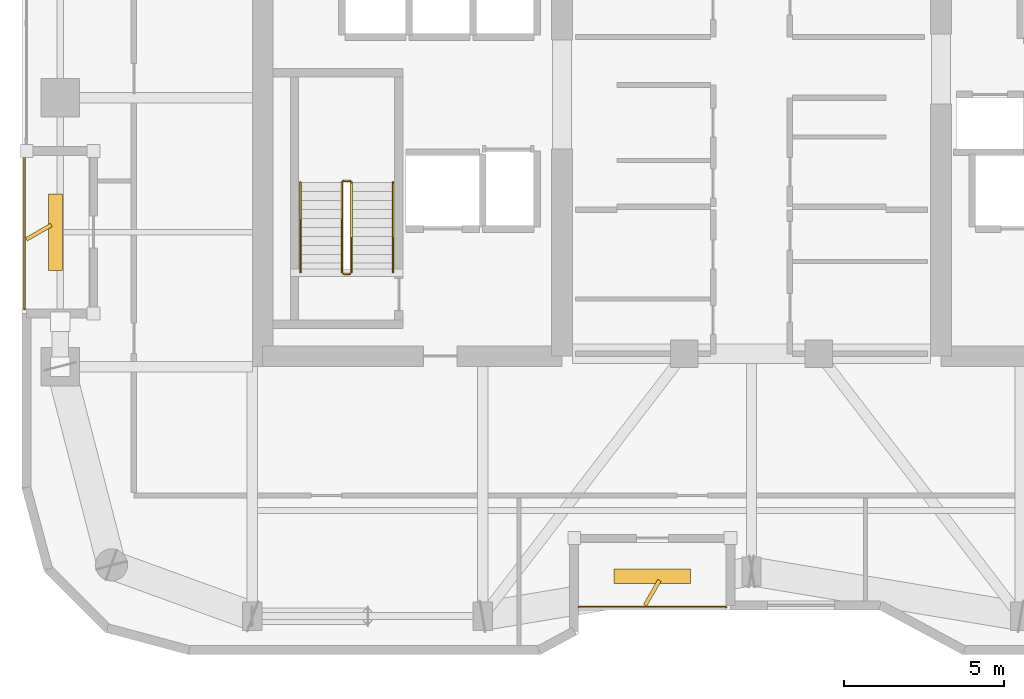
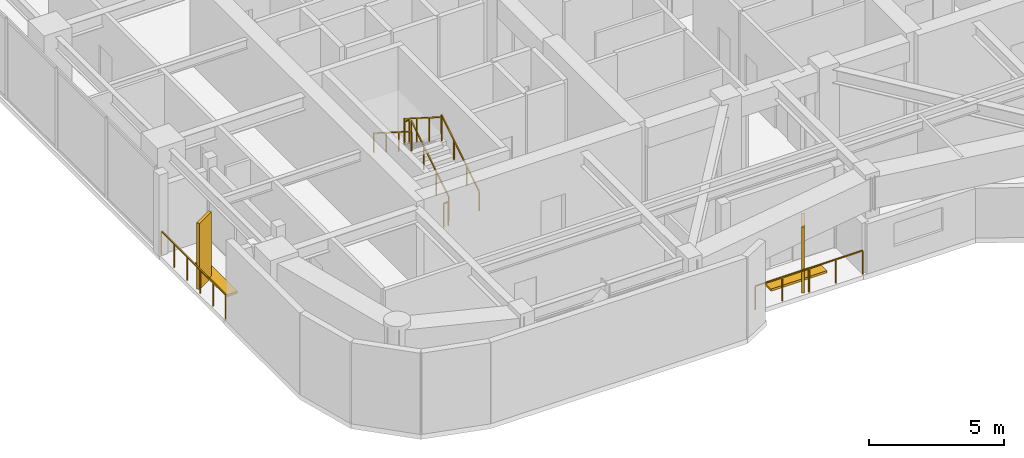
# One storey, part 19 of 21: 8 railings, 4 shading devices.
"""IFC4 building model written with IfcOpenShell, lengths in metres."""

from ifc_helpers import new_model, si_unit, direction, frame, origin, origin_2d, place, context, subcontext, project, spatial, rectangle, extrude, material, type_object, element, save


model = new_model("IFC4")

# Units and contexts
model_context = context("Model", 3, precision=1e-05, world=origin(), true_north=direction((0.0, 1.0)))
body_context = subcontext(model_context, "Body", "Model", "MODEL_VIEW")
ifc_project = project(units=[si_unit("LENGTHUNIT", "METRE"), si_unit("AREAUNIT", "SQUARE_METRE"), si_unit("VOLUMEUNIT", "CUBIC_METRE"), si_unit("PLANEANGLEUNIT", "RADIAN"), si_unit("MASSUNIT", "GRAM", prefix="KILO")], contexts=[model_context])

# Site, building, storey
site_placement = place(None, origin())
site = spatial("IfcSite", under=ifc_project, at=site_placement, CompositionType="ELEMENT")
building_placement = place(site_placement, origin())
building = spatial("IfcBuilding", under=site, at=building_placement, Name="Kiyonajd Concourse Tower", CompositionType="ELEMENT")
storey_placement = place(building_placement, frame((0.0, 0.0, 219.300048828125)))
storey = spatial("IfcBuildingStorey", under=building, at=storey_placement, Name="L55", CompositionType="ELEMENT", Elevation=219.300048828125)

# Railings
ifc_material_1 = material(Name="Thermally Broken Anodised Aluminium", Category="aluminium")
railing_type_1 = type_object("IfcRailingType", Name="RL-GRD-LOG", PredefinedType="GUARDRAIL", material=ifc_material_1)
railing_1_placement = place(storey_placement, frame((42.60009765625, 20.080078125, 0.0)))
element("IfcRailing", 1, at=railing_1_placement, inside=storey, type_object=railing_type_1, Name="L55 Engawa Loggia Perimeter Guard LOG-S", PredefinedType="GUARDRAIL", context=body_context, shape_type="SweptSolid", body=[
    extrude(rectangle(XDim=0.048095703125, YDim=0.048095703125, at=origin_2d()), frame((0.0, 0.0, 1.076171875), z_axis=(1.0, 0.0, 0.0), x_axis=(0.0, 1.0, 0.0)), (0.0, 0.0, 1.0), 4.599853515625),
    extrude(rectangle(XDim=0.0419921875, YDim=0.0419921875, at=origin_2d()), origin(), (0.0, 0.0, 1.0), 1.052001953125),
    extrude(rectangle(XDim=0.0419921875, YDim=0.0419921875, at=origin_2d()), frame((1.14990234375, 0.0, 0.0)), (0.0, 0.0, 1.0), 1.052001953125),
    extrude(rectangle(XDim=0.0419921875, YDim=0.0419921875, at=origin_2d()), frame((2.2998046875, 0.0, 0.0)), (0.0, 0.0, 1.0), 1.052001953125),
    extrude(rectangle(XDim=0.0419921875, YDim=0.0419921875, at=origin_2d()), frame((3.449951171875, 0.0, 0.0)), (0.0, 0.0, 1.0), 1.052001953125),
    extrude(rectangle(XDim=0.0419921875, YDim=0.0419921875, at=origin_2d()), frame((4.599853515625, 0.0, 0.0)), (0.0, 0.0, 1.0), 1.052001953125),
])
railing_2_placement = place(storey_placement, frame((25.280029296875, 34.199951171875, 0.0)))
element("IfcRailing", 2, at=railing_2_placement, inside=storey, type_object=railing_type_1, Name="L55 Engawa Loggia Perimeter Guard LOG-W", PredefinedType="GUARDRAIL", context=body_context, shape_type="SweptSolid", body=[
    extrude(rectangle(XDim=0.048095703125, YDim=0.048095703125, at=origin_2d()), frame((0.0, 0.0, 1.076171875), z_axis=(0.0, -1.0, 0.0), x_axis=(1.0, 0.0, 0.0)), (0.0, 0.0, 1.0), 4.800048828125),
    extrude(rectangle(XDim=0.0419921875, YDim=0.0419921875, at=origin_2d()), origin(), (0.0, 0.0, 1.0), 1.052001953125),
    extrude(rectangle(XDim=0.0419921875, YDim=0.0419921875, at=origin_2d()), frame((0.0, -0.9599609375, 0.0)), (0.0, 0.0, 1.0), 1.052001953125),
    extrude(rectangle(XDim=0.0419921875, YDim=0.0419921875, at=origin_2d()), frame((0.0, -1.919921875, 0.0)), (0.0, 0.0, 1.0), 1.052001953125),
    extrude(rectangle(XDim=0.0419921875, YDim=0.0419921875, at=origin_2d()), frame((0.0, -2.880126953125, 0.0)), (0.0, 0.0, 1.0), 1.052001953125),
    extrude(rectangle(XDim=0.0419921875, YDim=0.0419921875, at=origin_2d()), frame((0.0, -3.840087890625, 0.0)), (0.0, 0.0, 1.0), 1.052001953125),
    extrude(rectangle(XDim=0.0419921875, YDim=0.0419921875, at=origin_2d()), frame((0.0, -4.800048828125, 0.0)), (0.0, 0.0, 1.0), 1.052001953125),
])
ifc_material_2 = material(Name="Steel ASTM A500 Grade C", Category="steel")
railing_type_2 = type_object("IfcRailingType", Name="RL-GRD-STR", PredefinedType="GUARDRAIL", material=ifc_material_2)
railing_3_placement = place(storey_placement, frame((35.5, 30.550048828125, 0.17724609375)))
element("IfcRailing", 3, at=railing_3_placement, inside=storey, type_object=railing_type_2, Name="L55 ST1 stair guard 1", PredefinedType="GUARDRAIL", context=body_context, shape_type="SweptSolid", body=[
    extrude(rectangle(XDim=0.048095703125, YDim=0.048095703125, at=origin_2d()), frame((0.0, 0.0, 1.076171875), z_axis=(0.0, 0.844908973607, 0.534910110503), x_axis=(-1.0, 0.0, 0.0)), (0.0, 0.0, 1.0), 3.31396484375),
    extrude(rectangle(XDim=0.0419921875, YDim=0.0419921875, at=origin_2d()), origin(), (0.0, 0.0, 1.0), 1.052001953125),
    extrude(rectangle(XDim=0.0419921875, YDim=0.0419921875, at=origin_2d()), frame((0.0, 0.933349609375, 0.5908203125)), (0.0, 0.0, 1.0), 1.052001953125),
    extrude(rectangle(XDim=0.0419921875, YDim=0.0419921875, at=origin_2d()), frame((0.0, 1.86669921875, 1.181884765625)), (0.0, 0.0, 1.0), 1.052001953125),
    extrude(rectangle(XDim=0.0419921875, YDim=0.0419921875, at=origin_2d()), frame((0.0, 2.800048828125, 1.772705078125)), (0.0, 0.0, 1.0), 1.052001953125),
])
railing_4_placement = place(storey_placement, frame((35.449951171875, 33.39990234375, 1.949951171875)))
element("IfcRailing", 4, at=railing_4_placement, inside=storey, type_object=railing_type_2, Name="L55 ST1 stair guard 2", PredefinedType="GUARDRAIL", context=body_context, shape_type="SweptSolid", body=[
    extrude(rectangle(XDim=0.048095703125, YDim=0.048095703125, at=origin_2d()), frame((0.0, 0.0, 1.076171875), z_axis=(-1.0, 0.0, 0.0), x_axis=(0.0, -1.0, 0.0)), (0.0, 0.0, 1.0), 0.199951171875),
    extrude(rectangle(XDim=0.0419921875, YDim=0.0419921875, at=origin_2d()), origin(), (0.0, 0.0, 1.0), 1.052001953125),
    extrude(rectangle(XDim=0.0419921875, YDim=0.0419921875, at=origin_2d()), frame((-0.199951171875, 0.0, 0.0)), (0.0, 0.0, 1.0), 1.052001953125),
])
railing_5_placement = place(storey_placement, frame((35.199951171875, 33.35009765625, 2.127197265625)))
element("IfcRailing", 5, at=railing_5_placement, inside=storey, type_object=railing_type_2, Name="L55 ST1 stair guard 3", PredefinedType="GUARDRAIL", context=body_context, shape_type="SweptSolid", body=[
    extrude(rectangle(XDim=0.048095703125, YDim=0.048095703125, at=origin_2d()), frame((0.0, 0.0, 1.076171875), z_axis=(0.0, -0.844908973607, 0.534910110503), x_axis=(1.0, 0.0, 0.0)), (0.0, 0.0, 1.0), 3.31396484375),
    extrude(rectangle(XDim=0.0419921875, YDim=0.0419921875, at=origin_2d()), origin(), (0.0, 0.0, 1.0), 1.052001953125),
    extrude(rectangle(XDim=0.0419921875, YDim=0.0419921875, at=origin_2d()), frame((0.0, -0.933349609375, 0.5908203125)), (0.0, 0.0, 1.0), 1.052001953125),
    extrude(rectangle(XDim=0.0419921875, YDim=0.0419921875, at=origin_2d()), frame((0.0, -1.86669921875, 1.181884765625)), (0.0, 0.0, 1.0), 1.052001953125),
    extrude(rectangle(XDim=0.0419921875, YDim=0.0419921875, at=origin_2d()), frame((0.0, -2.800048828125, 1.772705078125)), (0.0, 0.0, 1.0), 1.052001953125),
])
railing_6_placement = place(storey_placement, frame((35.449951171875, 30.5, 0.0)))
element("IfcRailing", 6, at=railing_6_placement, inside=storey, type_object=railing_type_2, Name="L55 ST1 stair guard 4", PredefinedType="GUARDRAIL", context=body_context, shape_type="SweptSolid", body=[
    extrude(rectangle(XDim=0.048095703125, YDim=0.048095703125, at=origin_2d()), frame((0.0, 0.0, 1.076171875), z_axis=(-1.0, 0.0, 0.0), x_axis=(0.0, -1.0, 0.0)), (0.0, 0.0, 1.0), 0.199951171875),
    extrude(rectangle(XDim=0.0419921875, YDim=0.0419921875, at=origin_2d()), origin(), (0.0, 0.0, 1.0), 1.052001953125),
    extrude(rectangle(XDim=0.0419921875, YDim=0.0419921875, at=origin_2d()), frame((-0.199951171875, 0.0, 0.0)), (0.0, 0.0, 1.0), 1.052001953125),
])
ifc_material_3 = material(Name="Brushed Stainless Steel Cab Assembly", Category="steel")
railing_type_3 = type_object("IfcRailingType", Name="RL-HND-900", PredefinedType="HANDRAIL", material=ifc_material_3)
railing_7_placement = place(storey_placement, frame((36.800048828125, 30.550048828125, 0.17724609375)))
element("IfcRailing", 7, at=railing_7_placement, inside=storey, type_object=railing_type_3, Name="L55 ST1 stair handrail 1", PredefinedType="HANDRAIL", context=body_context, shape_type="SweptSolid", body=[
    extrude(rectangle(XDim=0.048095703125, YDim=0.048095703125, at=origin_2d()), frame((0.0, 0.0, 0.8759765625), z_axis=(0.0, 0.844908973607, 0.534910110503), x_axis=(-1.0, 0.0, 0.0)), (0.0, 0.0, 1.0), 3.31396484375),
    extrude(rectangle(XDim=0.0419921875, YDim=0.0419921875, at=origin_2d()), origin(), (0.0, 0.0, 1.0), 0.851806640625),
    extrude(rectangle(XDim=0.0419921875, YDim=0.0419921875, at=origin_2d()), frame((0.0, 0.933349609375, 0.5908203125)), (0.0, 0.0, 1.0), 0.851806640625),
    extrude(rectangle(XDim=0.0419921875, YDim=0.0419921875, at=origin_2d()), frame((0.0, 1.86669921875, 1.181884765625)), (0.0, 0.0, 1.0), 0.851806640625),
    extrude(rectangle(XDim=0.0419921875, YDim=0.0419921875, at=origin_2d()), frame((0.0, 2.800048828125, 1.772705078125)), (0.0, 0.0, 1.0), 0.851806640625),
])
railing_8_placement = place(storey_placement, frame((33.89990234375, 33.35009765625, 2.127197265625)))
element("IfcRailing", 8, at=railing_8_placement, inside=storey, type_object=railing_type_3, Name="L55 ST1 stair handrail 2", PredefinedType="HANDRAIL", context=body_context, shape_type="SweptSolid", body=[
    extrude(rectangle(XDim=0.048095703125, YDim=0.048095703125, at=origin_2d()), frame((0.0, 0.0, 0.8759765625), z_axis=(0.0, -0.844908973607, 0.534910110503), x_axis=(1.0, 0.0, 0.0)), (0.0, 0.0, 1.0), 3.31396484375),
    extrude(rectangle(XDim=0.0419921875, YDim=0.0419921875, at=origin_2d()), origin(), (0.0, 0.0, 1.0), 0.851806640625),
    extrude(rectangle(XDim=0.0419921875, YDim=0.0419921875, at=origin_2d()), frame((0.0, -0.933349609375, 0.5908203125)), (0.0, 0.0, 1.0), 0.851806640625),
    extrude(rectangle(XDim=0.0419921875, YDim=0.0419921875, at=origin_2d()), frame((0.0, -1.86669921875, 1.181884765625)), (0.0, 0.0, 1.0), 0.851806640625),
    extrude(rectangle(XDim=0.0419921875, YDim=0.0419921875, at=origin_2d()), frame((0.0, -2.800048828125, 1.772705078125)), (0.0, 0.0, 1.0), 0.851806640625),
])

# Shading devices
ifc_material_4 = material(Name="Precast concrete C50/60", Category="concrete")
shading_device_type_1 = type_object("IfcShadingDeviceType", Name="SH-FIN-900", PredefinedType="USERDEFINED", material=ifc_material_4)
for number, where, z_axis, x_axis, name in (
    (9, (44.89990234375, 20.530029296875, 0.0), (0.0, 0.0, 1.0), (0.5, 0.866025403784, 0.0), "L55 Angled Koshi Solar Fin LOG-S"),
    (10, (25.72998046875, 31.800048828125, 0.0), (0.0, 0.0, 1.0), (0.866025403784, 0.5, 0.0), "L55 Angled Koshi Solar Fin LOG-W"),
):
    element("IfcShadingDevice", number, at=place(storey_placement, frame(where, z_axis=z_axis, x_axis=x_axis)), inside=storey, type_object=shading_device_type_1, Name=name, ObjectType="FIN", PredefinedType="USERDEFINED", context=body_context, shape_type="SweptSolid", body=[
        extrude(rectangle(XDim=0.89990234375, YDim=0.1201171875, at=origin_2d()), origin(), (0.0, 0.0, 1.0), 3.0),
    ])
shading_device_type_2 = type_object("IfcShadingDeviceType", Name="SH-LVR-600", PredefinedType="JALOUSIE", material=ifc_material_1)
for number, where, z_axis, x_axis, name in (
    (11, (44.89990234375, 21.050048828125, 0.0), (0.0, 0.0, 1.0), (1.0, 0.0, 0.0), "L55 Loggia Threshold Louver LOG-S"),
    (12, (26.25, 31.800048828125, 0.0), (0.0, 0.0, 1.0), (0.0, 1.0, 0.0), "L55 Loggia Threshold Louver LOG-W"),
):
    element("IfcShadingDevice", number, at=place(storey_placement, frame(where, z_axis=z_axis, x_axis=x_axis)), inside=storey, type_object=shading_device_type_2, Name=name, PredefinedType="JALOUSIE", context=body_context, shape_type="SweptSolid", body=[
        extrude(rectangle(XDim=2.39990234375, YDim=0.449951171875, at=origin_2d()), origin(), (0.0, 0.0, 1.0), 0.10009765625),
    ])

save(model, "model.ifc")
